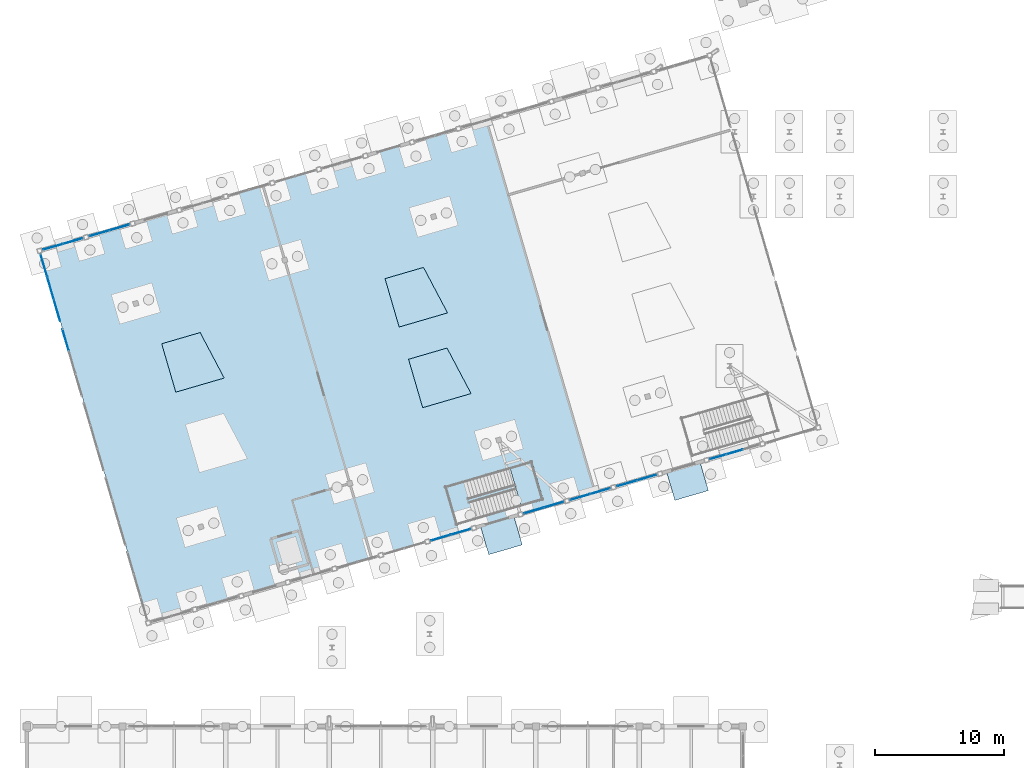
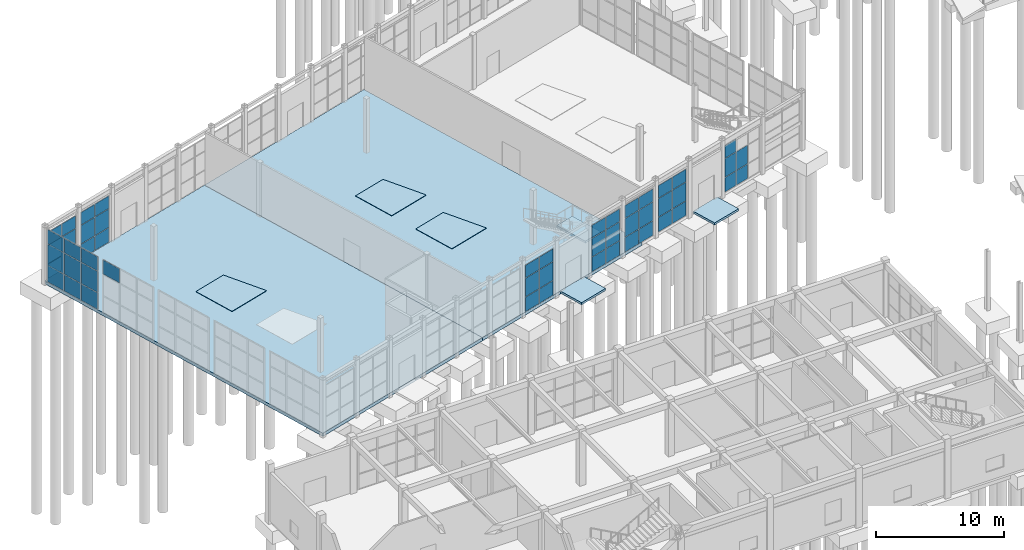
# One storey, part 63 of 90: 51 plates, 8 slabs, 10 elements without a shape of their own.
"""IFC4 building model written with IfcOpenShell, lengths in metres."""

from ifc_helpers import new_model, si_unit, direction, frame, origin, origin_2d, place, context, subcontext, project, spatial, polyline, rectangle, outline, extrude, material, layer, layer_set, type_object, element, aggregate, save


model = new_model("IFC4")

# Units and contexts
model_context = context("Model", 3, precision=1e-05, world=origin(), true_north=direction((0.0, 1.0)))
body_context = subcontext(model_context, "Body", "Model", "MODEL_VIEW")
ifc_project = project(units=[si_unit("LENGTHUNIT", "METRE"), si_unit("AREAUNIT", "SQUARE_METRE"), si_unit("VOLUMEUNIT", "CUBIC_METRE"), si_unit("PLANEANGLEUNIT", "RADIAN"), si_unit("MASSUNIT", "GRAM", prefix="KILO")], contexts=[model_context])

# Site, building, storey
site_placement = place(None, origin())
site = spatial("IfcSite", under=ifc_project, at=site_placement, CompositionType="ELEMENT")
building_placement = place(site_placement, origin())
building = spatial("IfcBuilding", under=site, at=building_placement, Name="Canggui Botanical Conservatory", CompositionType="ELEMENT")
storey_placement = place(building_placement, origin())
storey = spatial("IfcBuildingStorey", under=building, at=storey_placement, Name="L01", CompositionType="ELEMENT", Elevation=0.0)

# Curtain wall, plate
ifc_material_1 = material(Name="Thermally Broken Aluminium", Category="aluminium")
ifc_layer_1 = layer(ifc_material_1, 0.14990234375, Name="Thermally Broken Aluminium", Category="aluminium")
ifc_layer_set_1 = layer_set([ifc_layer_1], Name="Thermally Broken Aluminium")
curtain_wall_type_1 = type_object("IfcCurtainWallType", Name="CW-UNIT-C", PredefinedType="USERDEFINED", material=ifc_layer_set_1)
curtain_wall_1_placement = place(storey_placement, origin())
curtain_wall_1 = element("IfcCurtainWall", 1, at=curtain_wall_1_placement, inside=storey, type_object=curtain_wall_type_1, Name="Facade Curtain Wall CW-CONS-GABLE-S-04", ObjectType="UNITISED CURTAIN WALL", PredefinedType="USERDEFINED")
ifc_material_2 = material(Name="Low-E Insulated Glass", Category="glass")
ifc_layer_2 = layer(ifc_material_2, 0.033935546875, Name="Low-E Insulated Glass", Category="glass")
ifc_layer_set_2 = layer_set([ifc_layer_2], Name="Low-E Insulated Glass")
plate_type_1 = type_object("IfcPlateType", Name="CWP-03", PredefinedType="CURTAIN_PANEL", material=ifc_layer_set_2)
plate_1_placement = place(storey_placement, frame((13.61083984375, 63.905517578125, 3.69970703125), z_axis=(0.0, 0.0, 1.0), x_axis=(-0.279999999995, 0.960000000002, 0.0)))
plate_1 = element("IfcPlate", 2, at=plate_1_placement, type_object=plate_type_1, Name="CW-03 panel 3.3", PredefinedType="CURTAIN_PANEL", context=body_context, shape_type="SweptSolid", body=[
    extrude(rectangle(XDim=1.743408203125, YDim=0.033935546875, at=origin_2d()), origin(), (0.0, 0.0, 1.0), 1.345458984375),
])
aggregate(curtain_wall_1, [plate_1])

# Curtain wall, plates
curtain_wall_2_placement = place(storey_placement, origin())
curtain_wall_2 = element("IfcCurtainWall", 3, at=curtain_wall_2_placement, inside=storey, type_object=curtain_wall_type_1, Name="Facade Curtain Wall CW-CONS-GABLE-S-05", ObjectType="UNITISED CURTAIN WALL", PredefinedType="USERDEFINED")
plate_2_placement = place(storey_placement, frame((12.94921875, 66.17431640625, 0.05517578125), z_axis=(0.0, 0.0, 1.0), x_axis=(-0.279999999995, 0.960000000002, 0.0)))
plate_2 = element("IfcPlate", 4, at=plate_2_placement, type_object=plate_type_1, Name="CW-03 panel 1.1", PredefinedType="CURTAIN_PANEL", context=body_context, shape_type="SweptSolid", body=[
    extrude(rectangle(XDim=1.743408203125, YDim=0.033935546875, at=origin_2d()), origin(), (0.0, 0.0, 1.0), 1.549560546875),
])
plate_3_placement = place(storey_placement, frame((12.94921875, 66.17431640625, 1.65966796875), z_axis=(0.0, 0.0, 1.0), x_axis=(-0.279999999995, 0.960000000002, 0.0)))
plate_3 = element("IfcPlate", 5, at=plate_3_placement, type_object=plate_type_1, Name="CW-03 panel 1.2", PredefinedType="CURTAIN_PANEL", context=body_context, shape_type="SweptSolid", body=[
    extrude(rectangle(XDim=1.743408203125, YDim=0.033935546875, at=origin_2d()), origin(), (0.0, 0.0, 1.0), 1.985107421875),
])
plate_4_placement = place(storey_placement, frame((12.94921875, 66.17431640625, 3.69970703125), z_axis=(0.0, 0.0, 1.0), x_axis=(-0.279999999995, 0.960000000002, 0.0)))
plate_4 = element("IfcPlate", 6, at=plate_4_placement, type_object=plate_type_1, Name="CW-03 panel 1.3", PredefinedType="CURTAIN_PANEL", context=body_context, shape_type="SweptSolid", body=[
    extrude(rectangle(XDim=1.743408203125, YDim=0.033935546875, at=origin_2d()), origin(), (0.0, 0.0, 1.0), 1.345458984375),
])
plate_5_placement = place(storey_placement, frame((12.43994140625, 67.919921875, 0.05517578125), z_axis=(0.0, 0.0, 1.0), x_axis=(-0.279999999995, 0.960000000002, 0.0)))
plate_5 = element("IfcPlate", 7, at=plate_5_placement, type_object=plate_type_1, Name="CW-03 panel 2.1", PredefinedType="CURTAIN_PANEL", context=body_context, shape_type="SweptSolid", body=[
    extrude(rectangle(XDim=1.7734375, YDim=0.033935546875, at=origin_2d()), origin(), (0.0, 0.0, 1.0), 1.549560546875),
])
plate_6_placement = place(storey_placement, frame((12.43994140625, 67.919921875, 1.65966796875), z_axis=(0.0, 0.0, 1.0), x_axis=(-0.279999999995, 0.960000000002, 0.0)))
plate_6 = element("IfcPlate", 8, at=plate_6_placement, type_object=plate_type_1, Name="CW-03 panel 2.2", PredefinedType="CURTAIN_PANEL", context=body_context, shape_type="SweptSolid", body=[
    extrude(rectangle(XDim=1.7734375, YDim=0.033935546875, at=origin_2d()), origin(), (0.0, 0.0, 1.0), 1.985107421875),
])
plate_7_placement = place(storey_placement, frame((12.43994140625, 67.919921875, 3.69970703125), z_axis=(0.0, 0.0, 1.0), x_axis=(-0.279999999995, 0.960000000002, 0.0)))
plate_7 = element("IfcPlate", 9, at=plate_7_placement, type_object=plate_type_1, Name="CW-03 panel 2.3", PredefinedType="CURTAIN_PANEL", context=body_context, shape_type="SweptSolid", body=[
    extrude(rectangle(XDim=1.7734375, YDim=0.033935546875, at=origin_2d()), origin(), (0.0, 0.0, 1.0), 1.345458984375),
])
plate_8_placement = place(storey_placement, frame((11.930908203125, 69.66552734375, 0.05517578125), z_axis=(0.0, 0.0, 1.0), x_axis=(-0.279999999995, 0.960000000002, 0.0)))
plate_8 = element("IfcPlate", 10, at=plate_8_placement, type_object=plate_type_1, Name="CW-03 panel 3.1", PredefinedType="CURTAIN_PANEL", context=body_context, shape_type="SweptSolid", body=[
    extrude(rectangle(XDim=1.743408203125, YDim=0.033935546875, at=origin_2d()), origin(), (0.0, 0.0, 1.0), 1.549560546875),
])
plate_9_placement = place(storey_placement, frame((11.930908203125, 69.66552734375, 1.65966796875), z_axis=(0.0, 0.0, 1.0), x_axis=(-0.279999999995, 0.960000000002, 0.0)))
plate_9 = element("IfcPlate", 11, at=plate_9_placement, type_object=plate_type_1, Name="CW-03 panel 3.2", PredefinedType="CURTAIN_PANEL", context=body_context, shape_type="SweptSolid", body=[
    extrude(rectangle(XDim=1.743408203125, YDim=0.033935546875, at=origin_2d()), origin(), (0.0, 0.0, 1.0), 1.985107421875),
])
plate_10_placement = place(storey_placement, frame((11.930908203125, 69.66552734375, 3.69970703125), z_axis=(0.0, 0.0, 1.0), x_axis=(-0.279999999995, 0.960000000002, 0.0)))
plate_10 = element("IfcPlate", 12, at=plate_10_placement, type_object=plate_type_1, Name="CW-03 panel 3.3", PredefinedType="CURTAIN_PANEL", context=body_context, shape_type="SweptSolid", body=[
    extrude(rectangle(XDim=1.743408203125, YDim=0.033935546875, at=origin_2d()), origin(), (0.0, 0.0, 1.0), 1.345458984375),
])
aggregate(curtain_wall_2, [plate_2, plate_3, plate_4, plate_5, plate_6, plate_7, plate_8, plate_9, plate_10])

ifc_layer_3 = layer(ifc_material_1, 0.1201171875, Name="Thermally Broken Aluminium", Category="aluminium")
ifc_layer_set_3 = layer_set([ifc_layer_3], Name="Thermally Broken Aluminium")
curtain_wall_type_2 = type_object("IfcCurtainWallType", Name="CW-STICK-B", PredefinedType="USERDEFINED", material=ifc_layer_set_3)
curtain_wall_3_placement = place(storey_placement, origin())
curtain_wall_3 = element("IfcCurtainWall", 13, at=curtain_wall_3_placement, inside=storey, type_object=curtain_wall_type_2, Name="Facade Curtain Wall CW-CONS-L01-V0-07", ObjectType="STICK GLAZED WALL", PredefinedType="USERDEFINED")
ifc_layer_4 = layer(ifc_material_2, 0.0419921875, Name="Low-E Insulated Glass", Category="glass")
ifc_layer_set_4 = layer_set([ifc_layer_4], Name="Low-E Insulated Glass")
plate_type_2 = type_object("IfcPlateType", Name="CWP-05", PredefinedType="CURTAIN_PANEL", material=ifc_layer_set_4)
plate_11_placement = place(storey_placement, frame((44.166748046875, 49.048583984375, 0.044921875), z_axis=(0.0, 0.0, 1.0), x_axis=(-0.960000000002, -0.279999999995, 0.0)))
plate_11 = element("IfcPlate", 14, at=plate_11_placement, type_object=plate_type_2, Name="CW-05 panel 1.1", PredefinedType="CURTAIN_PANEL", context=body_context, shape_type="SweptSolid", body=[
    extrude(rectangle(XDim=1.54248046875, YDim=0.0419921875, at=origin_2d()), origin(), (0.0, 0.0, 1.0), 1.37255859375),
])
plate_12_placement = place(storey_placement, frame((44.166748046875, 49.048583984375, 1.462646484375), z_axis=(0.0, 0.0, 1.0), x_axis=(-0.960000000002, -0.279999999995, 0.0)))
plate_12 = element("IfcPlate", 15, at=plate_12_placement, type_object=plate_type_2, Name="CW-05 panel 1.2", PredefinedType="CURTAIN_PANEL", context=body_context, shape_type="SweptSolid", body=[
    extrude(rectangle(XDim=1.54248046875, YDim=0.0419921875, at=origin_2d()), origin(), (0.0, 0.0, 1.0), 1.7548828125),
])
plate_13_placement = place(storey_placement, frame((44.166748046875, 49.048583984375, 3.262451171875), z_axis=(0.0, 0.0, 1.0), x_axis=(-0.960000000002, -0.279999999995, 0.0)))
plate_13 = element("IfcPlate", 16, at=plate_13_placement, type_object=plate_type_2, Name="CW-05 panel 1.3", PredefinedType="CURTAIN_PANEL", context=body_context, shape_type="SweptSolid", body=[
    extrude(rectangle(XDim=1.54248046875, YDim=0.0419921875, at=origin_2d()), origin(), (0.0, 0.0, 1.0), 1.1923828125),
])
plate_14_placement = place(storey_placement, frame((42.63330078125, 48.601318359375, 0.044921875), z_axis=(0.0, 0.0, 1.0), x_axis=(-0.960000000002, -0.279999999995, 0.0)))
plate_14 = element("IfcPlate", 17, at=plate_14_placement, type_object=plate_type_2, Name="CW-05 panel 2.1", PredefinedType="CURTAIN_PANEL", context=body_context, shape_type="SweptSolid", body=[
    extrude(rectangle(XDim=1.54248046875, YDim=0.0419921875, at=origin_2d()), origin(), (0.0, 0.0, 1.0), 1.37255859375),
])
plate_15_placement = place(storey_placement, frame((42.63330078125, 48.601318359375, 1.462646484375), z_axis=(0.0, 0.0, 1.0), x_axis=(-0.960000000002, -0.279999999995, 0.0)))
plate_15 = element("IfcPlate", 18, at=plate_15_placement, type_object=plate_type_2, Name="CW-05 panel 2.2", PredefinedType="CURTAIN_PANEL", context=body_context, shape_type="SweptSolid", body=[
    extrude(rectangle(XDim=1.54248046875, YDim=0.0419921875, at=origin_2d()), origin(), (0.0, 0.0, 1.0), 1.7548828125),
])
plate_16_placement = place(storey_placement, frame((42.63330078125, 48.601318359375, 3.262451171875), z_axis=(0.0, 0.0, 1.0), x_axis=(-0.960000000002, -0.279999999995, 0.0)))
plate_16 = element("IfcPlate", 19, at=plate_16_placement, type_object=plate_type_2, Name="CW-05 panel 2.3", PredefinedType="CURTAIN_PANEL", context=body_context, shape_type="SweptSolid", body=[
    extrude(rectangle(XDim=1.54248046875, YDim=0.0419921875, at=origin_2d()), origin(), (0.0, 0.0, 1.0), 1.1923828125),
])
aggregate(curtain_wall_3, [plate_11, plate_12, plate_13, plate_14, plate_15, plate_16])

curtain_wall_4_placement = place(storey_placement, origin())
curtain_wall_4 = element("IfcCurtainWall", 20, at=curtain_wall_4_placement, inside=storey, type_object=curtain_wall_type_2, Name="Facade Curtain Wall CW-CONS-L01-V0-09", ObjectType="STICK GLAZED WALL", PredefinedType="USERDEFINED")
plate_17_placement = place(storey_placement, frame((51.36669921875, 51.148681640625, 0.044921875), z_axis=(0.0, 0.0, 1.0), x_axis=(-0.960000000002, -0.279999999995, 0.0)))
plate_17 = element("IfcPlate", 21, at=plate_17_placement, type_object=plate_type_2, Name="CW-05 panel 1.1", PredefinedType="CURTAIN_PANEL", context=body_context, shape_type="SweptSolid", body=[
    extrude(rectangle(XDim=1.54248046875, YDim=0.0419921875, at=origin_2d()), origin(), (0.0, 0.0, 1.0), 1.37255859375),
])
plate_18_placement = place(storey_placement, frame((51.36669921875, 51.148681640625, 1.462646484375), z_axis=(0.0, 0.0, 1.0), x_axis=(-0.960000000002, -0.279999999995, 0.0)))
plate_18 = element("IfcPlate", 22, at=plate_18_placement, type_object=plate_type_2, Name="CW-05 panel 1.2", PredefinedType="CURTAIN_PANEL", context=body_context, shape_type="SweptSolid", body=[
    extrude(rectangle(XDim=1.54248046875, YDim=0.0419921875, at=origin_2d()), origin(), (0.0, 0.0, 1.0), 1.7548828125),
])
plate_19_placement = place(storey_placement, frame((51.36669921875, 51.148681640625, 3.262451171875), z_axis=(0.0, 0.0, 1.0), x_axis=(-0.960000000002, -0.279999999995, 0.0)))
plate_19 = element("IfcPlate", 23, at=plate_19_placement, type_object=plate_type_2, Name="CW-05 panel 1.3", PredefinedType="CURTAIN_PANEL", context=body_context, shape_type="SweptSolid", body=[
    extrude(rectangle(XDim=1.54248046875, YDim=0.0419921875, at=origin_2d()), origin(), (0.0, 0.0, 1.0), 1.1923828125),
])
plate_20_placement = place(storey_placement, frame((49.833251953125, 50.701416015625, 0.044921875), z_axis=(0.0, 0.0, 1.0), x_axis=(-0.960000000002, -0.279999999995, 0.0)))
plate_20 = element("IfcPlate", 24, at=plate_20_placement, type_object=plate_type_2, Name="CW-05 panel 2.1", PredefinedType="CURTAIN_PANEL", context=body_context, shape_type="SweptSolid", body=[
    extrude(rectangle(XDim=1.54248046875, YDim=0.0419921875, at=origin_2d()), origin(), (0.0, 0.0, 1.0), 1.37255859375),
])
plate_21_placement = place(storey_placement, frame((49.833251953125, 50.701416015625, 1.462646484375), z_axis=(0.0, 0.0, 1.0), x_axis=(-0.960000000002, -0.279999999995, 0.0)))
plate_21 = element("IfcPlate", 25, at=plate_21_placement, type_object=plate_type_2, Name="CW-05 panel 2.2", PredefinedType="CURTAIN_PANEL", context=body_context, shape_type="SweptSolid", body=[
    extrude(rectangle(XDim=1.54248046875, YDim=0.0419921875, at=origin_2d()), origin(), (0.0, 0.0, 1.0), 1.7548828125),
])
plate_22_placement = place(storey_placement, frame((49.833251953125, 50.701416015625, 3.262451171875), z_axis=(0.0, 0.0, 1.0), x_axis=(-0.960000000002, -0.279999999995, 0.0)))
plate_22 = element("IfcPlate", 26, at=plate_22_placement, type_object=plate_type_2, Name="CW-05 panel 2.3", PredefinedType="CURTAIN_PANEL", context=body_context, shape_type="SweptSolid", body=[
    extrude(rectangle(XDim=1.54248046875, YDim=0.0419921875, at=origin_2d()), origin(), (0.0, 0.0, 1.0), 1.1923828125),
])
aggregate(curtain_wall_4, [plate_17, plate_18, plate_19, plate_20, plate_21, plate_22])

curtain_wall_5_placement = place(storey_placement, origin())
curtain_wall_5 = element("IfcCurtainWall", 27, at=curtain_wall_5_placement, inside=storey, type_object=curtain_wall_type_2, Name="Facade Curtain Wall CW-CONS-L01-V0-10", ObjectType="STICK GLAZED WALL", PredefinedType="USERDEFINED")
plate_23_placement = place(storey_placement, frame((54.966796875, 52.19873046875, 0.044921875), z_axis=(0.0, 0.0, 1.0), x_axis=(-0.960000000002, -0.279999999995, 0.0)))
plate_23 = element("IfcPlate", 28, at=plate_23_placement, type_object=plate_type_2, Name="CW-05 panel 1.1", PredefinedType="CURTAIN_PANEL", context=body_context, shape_type="SweptSolid", body=[
    extrude(rectangle(XDim=1.54248046875, YDim=0.0419921875, at=origin_2d()), origin(), (0.0, 0.0, 1.0), 1.37255859375),
])
plate_24_placement = place(storey_placement, frame((54.966796875, 52.19873046875, 1.462646484375), z_axis=(0.0, 0.0, 1.0), x_axis=(-0.960000000002, -0.279999999995, 0.0)))
plate_24 = element("IfcPlate", 29, at=plate_24_placement, type_object=plate_type_2, Name="CW-05 panel 1.2", PredefinedType="CURTAIN_PANEL", context=body_context, shape_type="SweptSolid", body=[
    extrude(rectangle(XDim=1.54248046875, YDim=0.0419921875, at=origin_2d()), origin(), (0.0, 0.0, 1.0), 1.7548828125),
])
plate_25_placement = place(storey_placement, frame((54.966796875, 52.19873046875, 3.262451171875), z_axis=(0.0, 0.0, 1.0), x_axis=(-0.960000000002, -0.279999999995, 0.0)))
plate_25 = element("IfcPlate", 30, at=plate_25_placement, type_object=plate_type_2, Name="CW-05 panel 1.3", PredefinedType="CURTAIN_PANEL", context=body_context, shape_type="SweptSolid", body=[
    extrude(rectangle(XDim=1.54248046875, YDim=0.0419921875, at=origin_2d()), origin(), (0.0, 0.0, 1.0), 1.1923828125),
])
plate_26_placement = place(storey_placement, frame((53.43310546875, 51.75146484375, 0.044921875), z_axis=(0.0, 0.0, 1.0), x_axis=(-0.960000000002, -0.279999999995, 0.0)))
plate_26 = element("IfcPlate", 31, at=plate_26_placement, type_object=plate_type_2, Name="CW-05 panel 2.1", PredefinedType="CURTAIN_PANEL", context=body_context, shape_type="SweptSolid", body=[
    extrude(rectangle(XDim=1.54248046875, YDim=0.0419921875, at=origin_2d()), origin(), (0.0, 0.0, 1.0), 1.37255859375),
])
plate_27_placement = place(storey_placement, frame((53.43310546875, 51.75146484375, 1.462646484375), z_axis=(0.0, 0.0, 1.0), x_axis=(-0.960000000002, -0.279999999995, 0.0)))
plate_27 = element("IfcPlate", 32, at=plate_27_placement, type_object=plate_type_2, Name="CW-05 panel 2.2", PredefinedType="CURTAIN_PANEL", context=body_context, shape_type="SweptSolid", body=[
    extrude(rectangle(XDim=1.54248046875, YDim=0.0419921875, at=origin_2d()), origin(), (0.0, 0.0, 1.0), 1.7548828125),
])
plate_28_placement = place(storey_placement, frame((53.43310546875, 51.75146484375, 3.262451171875), z_axis=(0.0, 0.0, 1.0), x_axis=(-0.960000000002, -0.279999999995, 0.0)))
plate_28 = element("IfcPlate", 33, at=plate_28_placement, type_object=plate_type_2, Name="CW-05 panel 2.3", PredefinedType="CURTAIN_PANEL", context=body_context, shape_type="SweptSolid", body=[
    extrude(rectangle(XDim=1.54248046875, YDim=0.0419921875, at=origin_2d()), origin(), (0.0, 0.0, 1.0), 1.1923828125),
])
aggregate(curtain_wall_5, [plate_23, plate_24, plate_25, plate_26, plate_27, plate_28])

curtain_wall_6_placement = place(storey_placement, origin())
curtain_wall_6 = element("IfcCurtainWall", 34, at=curtain_wall_6_placement, inside=storey, type_object=curtain_wall_type_2, Name="Facade Curtain Wall CW-CONS-L01-V0-11", ObjectType="STICK GLAZED WALL", PredefinedType="USERDEFINED")
plate_29_placement = place(storey_placement, frame((58.56689453125, 53.24853515625, 0.044921875), z_axis=(0.0, 0.0, 1.0), x_axis=(-0.960000000002, -0.279999999995, 0.0)))
plate_29 = element("IfcPlate", 35, at=plate_29_placement, type_object=plate_type_2, Name="CW-05 panel 1.1", PredefinedType="CURTAIN_PANEL", context=body_context, shape_type="SweptSolid", body=[
    extrude(rectangle(XDim=1.54248046875, YDim=0.0419921875, at=origin_2d()), origin(), (0.0, 0.0, 1.0), 1.37255859375),
])
plate_30_placement = place(storey_placement, frame((58.56689453125, 53.24853515625, 1.462646484375), z_axis=(0.0, 0.0, 1.0), x_axis=(-0.960000000002, -0.279999999995, 0.0)))
plate_30 = element("IfcPlate", 36, at=plate_30_placement, type_object=plate_type_2, Name="CW-05 panel 1.2", PredefinedType="CURTAIN_PANEL", context=body_context, shape_type="SweptSolid", body=[
    extrude(rectangle(XDim=1.54248046875, YDim=0.0419921875, at=origin_2d()), origin(), (0.0, 0.0, 1.0), 1.7548828125),
])
plate_31_placement = place(storey_placement, frame((58.56689453125, 53.24853515625, 3.262451171875), z_axis=(0.0, 0.0, 1.0), x_axis=(-0.960000000002, -0.279999999995, 0.0)))
plate_31 = element("IfcPlate", 37, at=plate_31_placement, type_object=plate_type_2, Name="CW-05 panel 1.3", PredefinedType="CURTAIN_PANEL", context=body_context, shape_type="SweptSolid", body=[
    extrude(rectangle(XDim=1.54248046875, YDim=0.0419921875, at=origin_2d()), origin(), (0.0, 0.0, 1.0), 1.1923828125),
])
plate_32_placement = place(storey_placement, frame((57.033203125, 52.80126953125, 0.044921875), z_axis=(0.0, 0.0, 1.0), x_axis=(-0.960000000002, -0.279999999995, 0.0)))
plate_32 = element("IfcPlate", 38, at=plate_32_placement, type_object=plate_type_2, Name="CW-05 panel 2.1", PredefinedType="CURTAIN_PANEL", context=body_context, shape_type="SweptSolid", body=[
    extrude(rectangle(XDim=1.54248046875, YDim=0.0419921875, at=origin_2d()), origin(), (0.0, 0.0, 1.0), 1.37255859375),
])
plate_33_placement = place(storey_placement, frame((57.033203125, 52.80126953125, 1.462646484375), z_axis=(0.0, 0.0, 1.0), x_axis=(-0.960000000002, -0.279999999995, 0.0)))
plate_33 = element("IfcPlate", 39, at=plate_33_placement, type_object=plate_type_2, Name="CW-05 panel 2.2", PredefinedType="CURTAIN_PANEL", context=body_context, shape_type="SweptSolid", body=[
    extrude(rectangle(XDim=1.54248046875, YDim=0.0419921875, at=origin_2d()), origin(), (0.0, 0.0, 1.0), 1.7548828125),
])
plate_34_placement = place(storey_placement, frame((57.033203125, 52.80126953125, 3.262451171875), z_axis=(0.0, 0.0, 1.0), x_axis=(-0.960000000002, -0.279999999995, 0.0)))
plate_34 = element("IfcPlate", 40, at=plate_34_placement, type_object=plate_type_2, Name="CW-05 panel 2.3", PredefinedType="CURTAIN_PANEL", context=body_context, shape_type="SweptSolid", body=[
    extrude(rectangle(XDim=1.54248046875, YDim=0.0419921875, at=origin_2d()), origin(), (0.0, 0.0, 1.0), 1.1923828125),
])
aggregate(curtain_wall_6, [plate_29, plate_30, plate_31, plate_32, plate_33, plate_34])

curtain_wall_7_placement = place(storey_placement, origin())
curtain_wall_7 = element("IfcCurtainWall", 41, at=curtain_wall_7_placement, inside=storey, type_object=curtain_wall_type_2, Name="Facade Curtain Wall CW-CONS-L01-V0-13", ObjectType="STICK GLAZED WALL", PredefinedType="USERDEFINED")
plate_35_placement = place(storey_placement, frame((65.360107421875, 55.22998046875, 0.044921875), z_axis=(0.0, 0.0, 1.0), x_axis=(-0.960000000002, -0.279999999995, 0.0)))
plate_35 = element("IfcPlate", 42, at=plate_35_placement, type_object=plate_type_2, Name="CW-05 panel 2.1", PredefinedType="CURTAIN_PANEL", context=body_context, shape_type="SweptSolid", body=[
    extrude(rectangle(XDim=1.2783203125, YDim=0.0419921875, at=origin_2d()), origin(), (0.0, 0.0, 1.0), 1.37255859375),
])
plate_36_placement = place(storey_placement, frame((65.360107421875, 55.22998046875, 1.462646484375), z_axis=(0.0, 0.0, 1.0), x_axis=(-0.960000000002, -0.279999999995, 0.0)))
plate_36 = element("IfcPlate", 43, at=plate_36_placement, type_object=plate_type_2, Name="CW-05 panel 2.2", PredefinedType="CURTAIN_PANEL", context=body_context, shape_type="SweptSolid", body=[
    extrude(rectangle(XDim=1.2783203125, YDim=0.0419921875, at=origin_2d()), origin(), (0.0, 0.0, 1.0), 1.7548828125),
])
plate_37_placement = place(storey_placement, frame((64.09326171875, 54.860595703125, 0.044921875), z_axis=(0.0, 0.0, 1.0), x_axis=(-0.960000000002, -0.279999999995, 0.0)))
plate_37 = element("IfcPlate", 44, at=plate_37_placement, type_object=plate_type_2, Name="CW-05 panel 3.1", PredefinedType="CURTAIN_PANEL", context=body_context, shape_type="SweptSolid", body=[
    extrude(rectangle(XDim=1.250732421875, YDim=0.0419921875, at=origin_2d()), origin(), (0.0, 0.0, 1.0), 1.37255859375),
])
plate_38_placement = place(storey_placement, frame((64.09326171875, 54.860595703125, 1.462646484375), z_axis=(0.0, 0.0, 1.0), x_axis=(-0.960000000002, -0.279999999995, 0.0)))
plate_38 = element("IfcPlate", 45, at=plate_38_placement, type_object=plate_type_2, Name="CW-05 panel 3.2", PredefinedType="CURTAIN_PANEL", context=body_context, shape_type="SweptSolid", body=[
    extrude(rectangle(XDim=1.250732421875, YDim=0.0419921875, at=origin_2d()), origin(), (0.0, 0.0, 1.0), 1.7548828125),
])
plate_39_placement = place(storey_placement, frame((64.09326171875, 54.860595703125, 3.262451171875), z_axis=(0.0, 0.0, 1.0), x_axis=(-0.960000000002, -0.279999999995, 0.0)))
plate_39 = element("IfcPlate", 46, at=plate_39_placement, type_object=plate_type_2, Name="CW-05 panel 3.3", PredefinedType="CURTAIN_PANEL", context=body_context, shape_type="SweptSolid", body=[
    extrude(rectangle(XDim=1.250732421875, YDim=0.0419921875, at=origin_2d()), origin(), (0.0, 0.0, 1.0), 1.1923828125),
])
aggregate(curtain_wall_7, [plate_35, plate_36, plate_37, plate_38, plate_39])

curtain_wall_8_placement = place(storey_placement, origin())
curtain_wall_8 = element("IfcCurtainWall", 47, at=curtain_wall_8_placement, inside=storey, type_object=curtain_wall_type_2, Name="Facade Curtain Wall CW-CONS-L01-V1-01", ObjectType="STICK GLAZED WALL", PredefinedType="USERDEFINED")
plate_40_placement = place(storey_placement, frame((12.63330078125, 71.101318359375, 0.044921875), z_axis=(0.0, 0.0, 1.0), x_axis=(0.960000000002, 0.279999999995, 0.0)))
plate_40 = element("IfcPlate", 48, at=plate_40_placement, type_object=plate_type_2, Name="CW-05 panel 1.1", PredefinedType="CURTAIN_PANEL", context=body_context, shape_type="SweptSolid", body=[
    extrude(rectangle(XDim=1.54248046875, YDim=0.0419921875, at=origin_2d()), origin(), (0.0, 0.0, 1.0), 1.37255859375),
])
plate_41_placement = place(storey_placement, frame((12.63330078125, 71.101318359375, 1.462646484375), z_axis=(0.0, 0.0, 1.0), x_axis=(0.960000000002, 0.279999999995, 0.0)))
plate_41 = element("IfcPlate", 49, at=plate_41_placement, type_object=plate_type_2, Name="CW-05 panel 1.2", PredefinedType="CURTAIN_PANEL", context=body_context, shape_type="SweptSolid", body=[
    extrude(rectangle(XDim=1.54248046875, YDim=0.0419921875, at=origin_2d()), origin(), (0.0, 0.0, 1.0), 1.7548828125),
])
plate_42_placement = place(storey_placement, frame((12.63330078125, 71.101318359375, 3.262451171875), z_axis=(0.0, 0.0, 1.0), x_axis=(0.960000000002, 0.279999999995, 0.0)))
plate_42 = element("IfcPlate", 50, at=plate_42_placement, type_object=plate_type_2, Name="CW-05 panel 1.3", PredefinedType="CURTAIN_PANEL", context=body_context, shape_type="SweptSolid", body=[
    extrude(rectangle(XDim=1.54248046875, YDim=0.0419921875, at=origin_2d()), origin(), (0.0, 0.0, 1.0), 1.1923828125),
])
plate_43_placement = place(storey_placement, frame((14.166748046875, 71.548583984375, 0.044921875), z_axis=(0.0, 0.0, 1.0), x_axis=(0.960000000002, 0.279999999995, 0.0)))
plate_43 = element("IfcPlate", 51, at=plate_43_placement, type_object=plate_type_2, Name="CW-05 panel 2.1", PredefinedType="CURTAIN_PANEL", context=body_context, shape_type="SweptSolid", body=[
    extrude(rectangle(XDim=1.54248046875, YDim=0.0419921875, at=origin_2d()), origin(), (0.0, 0.0, 1.0), 1.37255859375),
])
plate_44_placement = place(storey_placement, frame((14.166748046875, 71.548583984375, 1.462646484375), z_axis=(0.0, 0.0, 1.0), x_axis=(0.960000000002, 0.279999999995, 0.0)))
plate_44 = element("IfcPlate", 52, at=plate_44_placement, type_object=plate_type_2, Name="CW-05 panel 2.2", PredefinedType="CURTAIN_PANEL", context=body_context, shape_type="SweptSolid", body=[
    extrude(rectangle(XDim=1.54248046875, YDim=0.0419921875, at=origin_2d()), origin(), (0.0, 0.0, 1.0), 1.7548828125),
])
plate_45_placement = place(storey_placement, frame((14.166748046875, 71.548583984375, 3.262451171875), z_axis=(0.0, 0.0, 1.0), x_axis=(0.960000000002, 0.279999999995, 0.0)))
plate_45 = element("IfcPlate", 53, at=plate_45_placement, type_object=plate_type_2, Name="CW-05 panel 2.3", PredefinedType="CURTAIN_PANEL", context=body_context, shape_type="SweptSolid", body=[
    extrude(rectangle(XDim=1.54248046875, YDim=0.0419921875, at=origin_2d()), origin(), (0.0, 0.0, 1.0), 1.1923828125),
])
aggregate(curtain_wall_8, [plate_40, plate_41, plate_42, plate_43, plate_44, plate_45])

curtain_wall_9_placement = place(storey_placement, origin())
curtain_wall_9 = element("IfcCurtainWall", 54, at=curtain_wall_9_placement, inside=storey, type_object=curtain_wall_type_2, Name="Facade Curtain Wall CW-CONS-L01-V1-02", ObjectType="STICK GLAZED WALL", PredefinedType="USERDEFINED")
plate_46_placement = place(storey_placement, frame((16.233154296875, 72.1513671875, 0.044921875), z_axis=(0.0, 0.0, 1.0), x_axis=(0.960000000002, 0.279999999995, 0.0)))
plate_46 = element("IfcPlate", 55, at=plate_46_placement, type_object=plate_type_2, Name="CW-05 panel 1.1", PredefinedType="CURTAIN_PANEL", context=body_context, shape_type="SweptSolid", body=[
    extrude(rectangle(XDim=1.54248046875, YDim=0.0419921875, at=origin_2d()), origin(), (0.0, 0.0, 1.0), 1.37255859375),
])
plate_47_placement = place(storey_placement, frame((16.233154296875, 72.1513671875, 1.462646484375), z_axis=(0.0, 0.0, 1.0), x_axis=(0.960000000002, 0.279999999995, 0.0)))
plate_47 = element("IfcPlate", 56, at=plate_47_placement, type_object=plate_type_2, Name="CW-05 panel 1.2", PredefinedType="CURTAIN_PANEL", context=body_context, shape_type="SweptSolid", body=[
    extrude(rectangle(XDim=1.54248046875, YDim=0.0419921875, at=origin_2d()), origin(), (0.0, 0.0, 1.0), 1.7548828125),
])
plate_48_placement = place(storey_placement, frame((16.233154296875, 72.1513671875, 3.262451171875), z_axis=(0.0, 0.0, 1.0), x_axis=(0.960000000002, 0.279999999995, 0.0)))
plate_48 = element("IfcPlate", 57, at=plate_48_placement, type_object=plate_type_2, Name="CW-05 panel 1.3", PredefinedType="CURTAIN_PANEL", context=body_context, shape_type="SweptSolid", body=[
    extrude(rectangle(XDim=1.54248046875, YDim=0.0419921875, at=origin_2d()), origin(), (0.0, 0.0, 1.0), 1.1923828125),
])
plate_49_placement = place(storey_placement, frame((17.766845703125, 72.5986328125, 0.044921875), z_axis=(0.0, 0.0, 1.0), x_axis=(0.960000000002, 0.279999999995, 0.0)))
plate_49 = element("IfcPlate", 58, at=plate_49_placement, type_object=plate_type_2, Name="CW-05 panel 2.1", PredefinedType="CURTAIN_PANEL", context=body_context, shape_type="SweptSolid", body=[
    extrude(rectangle(XDim=1.54248046875, YDim=0.0419921875, at=origin_2d()), origin(), (0.0, 0.0, 1.0), 1.37255859375),
])
plate_50_placement = place(storey_placement, frame((17.766845703125, 72.5986328125, 1.462646484375), z_axis=(0.0, 0.0, 1.0), x_axis=(0.960000000002, 0.279999999995, 0.0)))
plate_50 = element("IfcPlate", 59, at=plate_50_placement, type_object=plate_type_2, Name="CW-05 panel 2.2", PredefinedType="CURTAIN_PANEL", context=body_context, shape_type="SweptSolid", body=[
    extrude(rectangle(XDim=1.54248046875, YDim=0.0419921875, at=origin_2d()), origin(), (0.0, 0.0, 1.0), 1.7548828125),
])
plate_51_placement = place(storey_placement, frame((17.766845703125, 72.5986328125, 3.262451171875), z_axis=(0.0, 0.0, 1.0), x_axis=(0.960000000002, 0.279999999995, 0.0)))
plate_51 = element("IfcPlate", 60, at=plate_51_placement, type_object=plate_type_2, Name="CW-05 panel 2.3", PredefinedType="CURTAIN_PANEL", context=body_context, shape_type="SweptSolid", body=[
    extrude(rectangle(XDim=1.54248046875, YDim=0.0419921875, at=origin_2d()), origin(), (0.0, 0.0, 1.0), 1.1923828125),
])
aggregate(curtain_wall_9, [plate_46, plate_47, plate_48, plate_49, plate_50, plate_51])

# Slabs
ifc_material_3 = material(Name="Concrete C35", Category="concrete")
ifc_layer_5 = layer(ifc_material_3, 0.300048828125, Name="Concrete C35", Category="concrete")
ifc_layer_set_5 = layer_set([ifc_layer_5], Name="Concrete C35")
slab_type_1 = type_object("IfcSlabType", Name="SLAB-F300", PredefinedType="FLOOR", material=ifc_layer_set_5)
slab_1_placement = place(storey_placement, frame((0.0, 0.0, -0.300048828125)))
element("IfcSlab", 61, at=slab_1_placement, inside=storey, type_object=slab_type_1, Name="Conservatory Arid Biome Base Slab", PredefinedType="FLOOR", context=body_context, shape_type="SweptSolid", body=[
    extrude(outline(polyline([(20.0, 42.0), (37.280029296875, 47.0400390625), (28.8798828125, 75.840087890625), (11.60009765625, 70.800048828125), (20.0, 42.0)])), origin(), (0.0, 0.0, 1.0), 0.300048828125),
])
slab_2_placement = place(storey_placement, frame((0.0, 0.0, -0.300048828125)))
element("IfcSlab", 62, at=slab_2_placement, inside=storey, type_object=slab_type_1, Name="Conservatory Temperate Biome Base Slab", PredefinedType="FLOOR", context=body_context, shape_type="SweptSolid", body=[
    extrude(outline(polyline([(37.280029296875, 47.0400390625), (54.56005859375, 52.080078125), (46.159912109375, 80.8798828125), (28.8798828125, 75.840087890625), (37.280029296875, 47.0400390625)])), origin(), (0.0, 0.0, 1.0), 0.300048828125),
])

# Stair, slab
stair_type = type_object("IfcStairType", Name="STR-TYPE-1", PredefinedType="HALF_TURN_STAIR", material=ifc_material_3)
stair_placement = place(storey_placement, origin())
stair = element("IfcStair", 63, at=stair_placement, inside=storey, type_object=stair_type, Name="L01 Conservatory South Skywalk Stair ST-C1", PredefinedType="HALF_TURN_STAIR")
ifc_layer_6 = layer(ifc_material_3, 0.199951171875, Name="Concrete C35", Category="concrete")
ifc_layer_set_6 = layer_set([ifc_layer_6], Name="Concrete C35")
slab_type_2 = type_object("IfcSlabType", Name="SLAB-LND-200", PredefinedType="LANDING", material=ifc_layer_set_6)
slab_3_placement = place(storey_placement, frame((0.0, 0.0, 2.5)))
slab_3 = element("IfcSlab", 64, at=slab_3_placement, type_object=slab_type_2, Name="ST-C1 landing 1", PredefinedType="LANDING", context=body_context, shape_type="SweptSolid", body=[
    extrude(outline(polyline([(48.852294921875, 51.040283203125), (50.552001953125, 51.535888671875), (49.68408203125, 54.511962890625), (47.984375, 54.016357421875), (48.852294921875, 51.040283203125)])), origin(), (0.0, 0.0, 1.0), 0.199951171875),
])
aggregate(stair, [slab_3])

# Slabs
ifc_layer_7 = layer(ifc_material_3, 0.179931640625, Name="Concrete C35", Category="concrete")
ifc_layer_set_7 = layer_set([ifc_layer_7], Name="Concrete C35")
slab_type_3 = type_object("IfcSlabType", Name="SLAB-PAV-180", PredefinedType="USERDEFINED", material=ifc_layer_set_7)
slab_4_placement = place(storey_placement, origin())
element("IfcSlab", 65, at=slab_4_placement, inside=storey, type_object=slab_type_3, Name="Conservatory Arid Root-Bed Slab 2", ObjectType="PAVING", PredefinedType="USERDEFINED", context=body_context, shape_type="SweptSolid", body=[
    extrude(outline(polyline([(22.134033203125, 59.862060546875), (25.8779296875, 60.9541015625), (24.01806640625, 64.47412109375), (21.0419921875, 63.60595703125), (22.134033203125, 59.862060546875)])), origin(), (0.0, 0.0, 1.0), 0.034912109375),
])
slab_5_placement = place(storey_placement, origin())
element("IfcSlab", 66, at=slab_5_placement, inside=storey, type_object=slab_type_3, Name="Conservatory Temperate Root-Bed Slab 1", ObjectType="PAVING", PredefinedType="USERDEFINED", context=body_context, shape_type="SweptSolid", body=[
    extrude(outline(polyline([(41.23388671875, 58.662109375), (44.97802734375, 59.75390625), (43.117919921875, 63.27392578125), (40.14208984375, 62.406005859375), (41.23388671875, 58.662109375)])), origin(), (0.0, 0.0, 1.0), 0.034912109375),
])
slab_6_placement = place(storey_placement, origin())
element("IfcSlab", 67, at=slab_6_placement, inside=storey, type_object=slab_type_3, Name="Conservatory Temperate Root-Bed Slab 2", ObjectType="PAVING", PredefinedType="USERDEFINED", context=body_context, shape_type="SweptSolid", body=[
    extrude(outline(polyline([(39.4140625, 64.902099609375), (43.157958984375, 65.993896484375), (41.298095703125, 69.513916015625), (38.322021484375, 68.64599609375), (39.4140625, 64.902099609375)])), origin(), (0.0, 0.0, 1.0), 0.034912109375),
])
ifc_layer_8 = layer(ifc_material_3, 0.199951171875, Name="Concrete C35", Category="concrete")
ifc_layer_set_8 = layer_set([ifc_layer_8], Name="Concrete C35")
slab_type_4 = type_object("IfcSlabType", Name="SLAB-PAV-200", PredefinedType="USERDEFINED", material=ifc_layer_set_8)
slab_7_placement = place(storey_placement, frame((0.0, 0.0, -0.199951171875)))
element("IfcSlab", 68, at=slab_7_placement, inside=storey, type_object=slab_type_4, Name="Entrance Threshold Paving APRON-CONS-15", ObjectType="PAVING", PredefinedType="USERDEFINED", context=body_context, shape_type="SweptSolid", body=[
    extrude(outline(polyline([(45.69775390625, 49.51806640625), (48.289794921875, 50.274169921875), (48.93994140625, 48.044921875), (46.347900390625, 47.2890625), (45.69775390625, 49.51806640625)])), origin(), (0.0, 0.0, 1.0), 0.199951171875),
])
slab_8_placement = place(storey_placement, frame((0.0, 0.0, -0.199951171875)))
element("IfcSlab", 69, at=slab_8_placement, inside=storey, type_object=slab_type_4, Name="Entrance Threshold Paving APRON-CONS-16", ObjectType="PAVING", PredefinedType="USERDEFINED", context=body_context, shape_type="SweptSolid", body=[
    extrude(outline(polyline([(60.097900390625, 53.718017578125), (62.689697265625, 54.47412109375), (63.340087890625, 52.2451171875), (60.748046875, 51.489013671875), (60.097900390625, 53.718017578125)])), origin(), (0.0, 0.0, 1.0), 0.199951171875),
])

save(model, "model.ifc")
